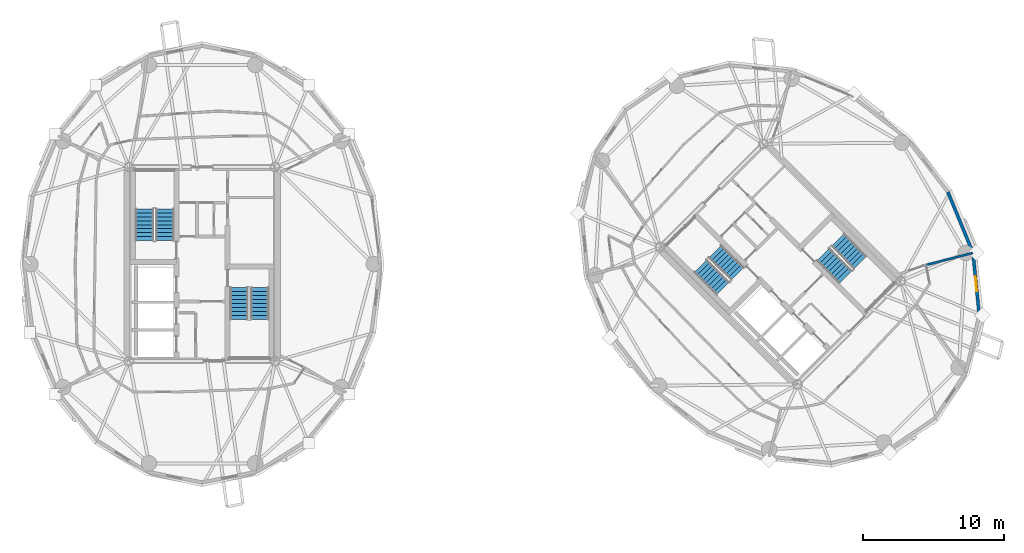
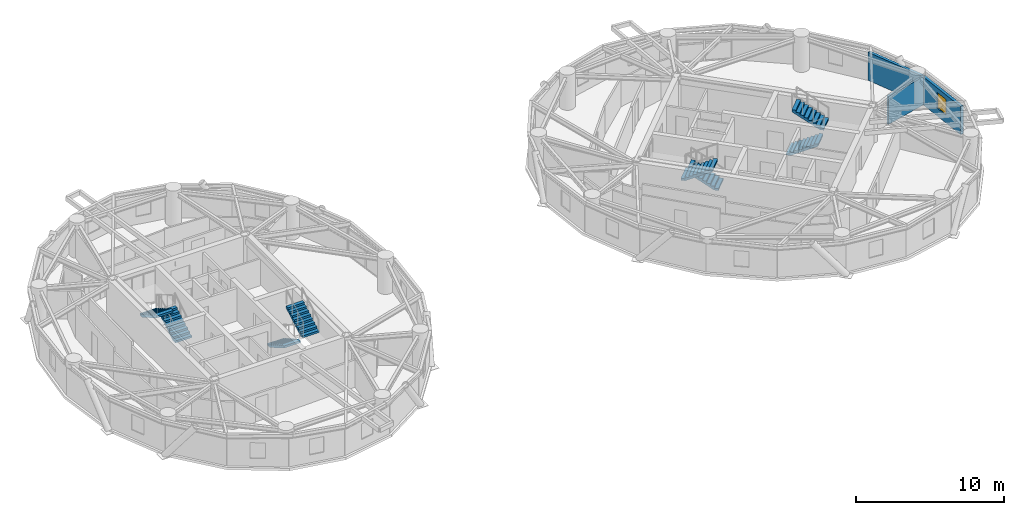
# One storey, part 14 of 16: 8 stair flights, 3 walls, 1 window, 1 opening, 4 elements without a shape of their own.
"""IFC4 building model written with IfcOpenShell, lengths in metres."""

from ifc_helpers import new_model, si_unit, direction, frame, frame_2d, origin, place, context, subcontext, project, spatial, polyline, rectangle, outline, extrude, source, transform, mapped, material, layer, layer_set, type_object, element, fill, aggregate, save


model = new_model("IFC4")

# Units and contexts
model_context = context("Model", 3, precision=1e-05, world=origin(), true_north=direction((0.0, 1.0)))
body_context = subcontext(model_context, "Body", "Model", "MODEL_VIEW")
ifc_project = project(units=[si_unit("LENGTHUNIT", "METRE"), si_unit("AREAUNIT", "SQUARE_METRE"), si_unit("VOLUMEUNIT", "CUBIC_METRE"), si_unit("PLANEANGLEUNIT", "RADIAN"), si_unit("MASSUNIT", "GRAM", prefix="KILO")], contexts=[model_context])

# Site, building, storey
site_placement = place(None, origin())
site = spatial("IfcSite", under=ifc_project, at=site_placement, CompositionType="ELEMENT")
building_placement = place(site_placement, origin())
building = spatial("IfcBuilding", under=site, at=building_placement, Name="Cununo Teusaquillo Station Towers", CompositionType="ELEMENT")
storey_placement = place(building_placement, frame((0.0, 0.0, 219.93994140625)))
storey = spatial("IfcBuildingStorey", under=building, at=storey_placement, Name="L70", CompositionType="ELEMENT", Elevation=219.93994140625)

# Wall, opening, window
ifc_material_1 = material(Name="Precast concrete C40/50", Category="concrete")
ifc_layer_1 = layer(ifc_material_1, 0.219970703125)
ifc_layer_set_1 = layer_set([ifc_layer_1], Name="Precast concrete C40/50")
wall_type_1 = type_object("IfcWallType", Name="WL-EXT-220", PredefinedType="SOLIDWALL", material=ifc_layer_set_1)
wall_1_placement = place(storey_placement, frame((71.15478515625, 25.29541015625, 0.0), z_axis=(0.0, 0.0, 1.0), x_axis=(0.100570534541, -0.994929930991, 0.0)))
wall_1 = element("IfcWall", 1, at=wall_1_placement, inside=storey, type_object=wall_type_1, Name="L70 Tower B Exterior Facade Wall C17", PredefinedType="SOLIDWALL", context=body_context, shape_type="SweptSolid", body=[
    extrude(rectangle(XDim=4.418212890625, YDim=0.219970703125, at=frame_2d((2.208984375, 0.0))), origin(), (0.0, 0.0, 1.0), 2.322021484375),
])
shared_shape_1 = source(origin(), body_context, "Body", "SweptSolid", [
    extrude(rectangle(XDim=1.050048828125, YDim=1.300048828125, at=frame_2d((0.52490234375, 0.64990234375))), frame((0.0, 0.119873046875, 0.0), z_axis=(0.0, -1.0, 0.0), x_axis=(1.0, 0.0, 0.0)), (0.0, 0.0, 1.0), 0.239990234375),
])
opening_placement = place(wall_1_placement, frame((1.68408203125, 0.0, 0.64990234375)))
opening = element("IfcOpeningElement", 2, at=opening_placement, cuts=wall_1, Name="Opening WN-04", PredefinedType="OPENING", context=body_context, shape_type="MappedRepresentation", body=[
    mapped(shared_shape_1, transform((0.0, 0.0, 0.0), x_axis=(1.0, 0.0, 0.0), y_axis=(0.0, 1.0, 0.0), z_axis=(0.0, 0.0, 1.0), scale=1.0)),
])
ifc_material_2 = material(Name="Operable acoustic tinted low-E double glazing", Category="glass")
window_type = type_object("IfcWindowType", Name="WIN-BAL-1050", PartitioningType="SINGLE_PANEL", PredefinedType="WINDOW", material=ifc_material_2)
shared_shape_2 = source(origin(), body_context, "Body", "SweptSolid", [
    extrude(rectangle(XDim=1.050048828125, YDim=1.300048828125, at=frame_2d((0.52490234375, 0.64990234375))), frame((0.0, 0.030029296875, 0.0), z_axis=(0.0, -1.0, 0.0), x_axis=(1.0, 0.0, 0.0)), (0.0, 0.0, 1.0), 0.06005859375),
])
window_placement = place(opening_placement, origin())
window = element("IfcWindow", 3, at=window_placement, inside=storey, type_object=window_type, Name="L70 Tower B Facade Window C17", OverallHeight=1.300048828125, OverallWidth=1.050048828125, PartitioningType="SINGLE_PANEL", PredefinedType="WINDOW", context=body_context, shape_type="MappedRepresentation", body=[
    mapped(shared_shape_2, transform((0.0, 0.0, 0.0), x_axis=(1.0, 0.0, 0.0), y_axis=(0.0, 1.0, 0.0), z_axis=(0.0, 0.0, 1.0), scale=1.0)),
])
fill(opening, window)

# Walls
wall_2_placement = place(storey_placement, frame((69.373779296875, 29.61328125, 0.0), z_axis=(0.0, 0.0, 1.0), x_axis=(0.381309704956, -0.924447353237, 0.0)))
element("IfcWall", 4, at=wall_2_placement, inside=storey, type_object=wall_type_1, Name="L70 Tower B Exterior Facade Wall C18", PredefinedType="SOLIDWALL", context=body_context, shape_type="SweptSolid", body=[
    extrude(rectangle(XDim=4.670654296875, YDim=0.219970703125, at=frame_2d((2.33544921875, 0.0))), origin(), (0.0, 0.0, 1.0), 2.322021484375),
])
ifc_material_3 = material(Name="Fire-rated gypsum plasterboard partition assembly", Category="gypsum")
ifc_layer_2 = layer(ifc_material_3, 0.159912109375)
ifc_layer_set_2 = layer_set([ifc_layer_2], Name="Fire-rated gypsum plasterboard partition assembly")
wall_type_2 = type_object("IfcWallType", Name="WL-PART-160", PredefinedType="PARTITIONING", material=ifc_layer_set_2)
wall_3_placement = place(storey_placement, frame((67.84326171875, 24.443115234375, 0.0), z_axis=(0.0, 0.0, 1.0), x_axis=(0.968303102463, 0.249778105048, 0.0)))
element("IfcWall", 5, at=wall_3_placement, inside=storey, type_object=wall_type_2, Name="L70 Tower B Radial Suite Partition R06", PredefinedType="PARTITIONING", context=body_context, shape_type="SweptSolid", body=[
    extrude(rectangle(XDim=3.3994140625, YDim=0.159912109375, at=frame_2d((1.69970703125, 0.0))), origin(), (0.0, 0.0, 1.0), 2.322021484375),
])

# Stair, stair flights
ifc_material_4 = material(Name="Concrete C50/60", Category="concrete")
stair_type = type_object("IfcStairType", Name="ST-TWR-1300", PredefinedType="HALF_TURN_STAIR", material=ifc_material_4)
stair_1_placement = place(storey_placement, origin())
stair_1 = element("IfcStair", 6, at=stair_1_placement, inside=storey, type_object=stair_type, Name="L70 Tower A Protected Core Exit Stair 1", PredefinedType="HALF_TURN_STAIR")
ifc_material_5 = material(Name="Concrete C50/60", Category="concrete")
stair_flight_type = type_object("IfcStairFlightType", Name="SFL-TWR-1300", PredefinedType="STRAIGHT", material=ifc_material_5)
stair_flight_1_placement = place(storey_placement, frame((13.8701171875, 26.169921875, 0.0), z_axis=(0.0, 0.0, 1.0), x_axis=(0.0, 1.0, 0.0)))
stair_flight_1 = element("IfcStairFlight", 7, at=stair_flight_1_placement, type_object=stair_flight_type, Name="ST-T1-1 flight 1", NumberOfRisers=9, NumberOfTreads=8, PredefinedType="STRAIGHT", RiserHeight=0.161666667, TreadLength=0.28, context=body_context, shape_type="SweptSolid", body=[
    extrude(outline(polyline([(0.0, 0.0), (0.0, 0.16162109375), (0.280029296875, 0.16162109375), (0.280029296875, 0.3232421875), (0.56005859375, 0.3232421875), (0.56005859375, 0.485107421875), (0.840087890625, 0.485107421875), (0.840087890625, 0.646728515625), (1.1201171875, 0.646728515625), (1.1201171875, 0.808349609375), (1.39990234375, 0.808349609375), (1.39990234375, 0.969970703125), (1.679931640625, 0.969970703125), (1.679931640625, 1.131591796875), (1.9599609375, 1.131591796875), (1.9599609375, 1.293212890625), (2.239990234375, 1.293212890625), (2.239990234375, 1.455078125), (2.239990234375, 1.1201171875), (0.2998046875, 0.0), (0.0, 0.0)])), frame((0.0, 0.64990234375, 0.0), z_axis=(0.0, -1.0, 0.0), x_axis=(1.0, 0.0, 0.0)), (0.0, 0.0, 1.0), 1.300048828125),
])
stair_flight_2_placement = place(storey_placement, frame((12.409912109375, 28.409912109375, 1.455078125), z_axis=(0.0, 0.0, 1.0), x_axis=(0.0, -1.0, 0.0)))
stair_flight_2 = element("IfcStairFlight", 8, at=stair_flight_2_placement, type_object=stair_flight_type, Name="ST-T1-1 flight 2", NumberOfRisers=9, NumberOfTreads=8, PredefinedType="STRAIGHT", RiserHeight=0.161666667, TreadLength=0.28, context=body_context, shape_type="SweptSolid", body=[
    extrude(outline(polyline([(0.0, 0.0), (0.0, 0.16162109375), (0.280029296875, 0.16162109375), (0.280029296875, 0.3232421875), (0.56005859375, 0.3232421875), (0.56005859375, 0.485107421875), (0.840087890625, 0.485107421875), (0.840087890625, 0.646728515625), (1.1201171875, 0.646728515625), (1.1201171875, 0.808349609375), (1.39990234375, 0.808349609375), (1.39990234375, 0.969970703125), (1.679931640625, 0.969970703125), (1.679931640625, 1.131591796875), (1.9599609375, 1.131591796875), (1.9599609375, 1.293212890625), (2.239990234375, 1.293212890625), (2.239990234375, 1.455078125), (2.239990234375, 1.1201171875), (0.2998046875, 0.0), (0.0, 0.0)])), frame((0.0, 0.64990234375, 0.0), z_axis=(0.0, -1.0, 0.0), x_axis=(1.0, 0.0, 0.0)), (0.0, 0.0, 1.0), 1.300048828125),
])
aggregate(stair_1, [stair_flight_1, stair_flight_2])

stair_2_placement = place(storey_placement, origin())
stair_2 = element("IfcStair", 9, at=stair_2_placement, inside=storey, type_object=stair_type, Name="L70 Tower A Protected Core Exit Stair 2", PredefinedType="HALF_TURN_STAIR")
stair_flight_3_placement = place(storey_placement, frame((19.1298828125, 22.830078125, 0.0), z_axis=(0.0, 0.0, 1.0), x_axis=(0.0, -1.0, 0.0)))
stair_flight_3 = element("IfcStairFlight", 10, at=stair_flight_3_placement, type_object=stair_flight_type, Name="ST-T1-2 flight 1", NumberOfRisers=9, NumberOfTreads=8, PredefinedType="STRAIGHT", RiserHeight=0.161666667, TreadLength=0.28, context=body_context, shape_type="SweptSolid", body=[
    extrude(outline(polyline([(0.0, 0.0), (0.0, 0.16162109375), (0.280029296875, 0.16162109375), (0.280029296875, 0.3232421875), (0.56005859375, 0.3232421875), (0.56005859375, 0.485107421875), (0.840087890625, 0.485107421875), (0.840087890625, 0.646728515625), (1.1201171875, 0.646728515625), (1.1201171875, 0.808349609375), (1.39990234375, 0.808349609375), (1.39990234375, 0.969970703125), (1.679931640625, 0.969970703125), (1.679931640625, 1.131591796875), (1.9599609375, 1.131591796875), (1.9599609375, 1.293212890625), (2.239990234375, 1.293212890625), (2.239990234375, 1.455078125), (2.239990234375, 1.1201171875), (0.2998046875, 0.0), (0.0, 0.0)])), frame((0.0, 0.64990234375, 0.0), z_axis=(0.0, -1.0, 0.0), x_axis=(1.0, 0.0, 0.0)), (0.0, 0.0, 1.0), 1.300048828125),
])
stair_flight_4_placement = place(storey_placement, frame((20.590087890625, 20.590087890625, 1.455078125), z_axis=(0.0, 0.0, 1.0), x_axis=(0.0, 1.0, 0.0)))
stair_flight_4 = element("IfcStairFlight", 11, at=stair_flight_4_placement, type_object=stair_flight_type, Name="ST-T1-2 flight 2", NumberOfRisers=9, NumberOfTreads=8, PredefinedType="STRAIGHT", RiserHeight=0.161666667, TreadLength=0.28, context=body_context, shape_type="SweptSolid", body=[
    extrude(outline(polyline([(0.0, 0.0), (0.0, 0.16162109375), (0.280029296875, 0.16162109375), (0.280029296875, 0.3232421875), (0.56005859375, 0.3232421875), (0.56005859375, 0.485107421875), (0.840087890625, 0.485107421875), (0.840087890625, 0.646728515625), (1.1201171875, 0.646728515625), (1.1201171875, 0.808349609375), (1.39990234375, 0.808349609375), (1.39990234375, 0.969970703125), (1.679931640625, 0.969970703125), (1.679931640625, 1.131591796875), (1.9599609375, 1.131591796875), (1.9599609375, 1.293212890625), (2.239990234375, 1.293212890625), (2.239990234375, 1.455078125), (2.239990234375, 1.1201171875), (0.2998046875, 0.0), (0.0, 0.0)])), frame((0.0, 0.64990234375, 0.0), z_axis=(0.0, -1.0, 0.0), x_axis=(1.0, 0.0, 0.0)), (0.0, 0.0, 1.0), 1.300048828125),
])
aggregate(stair_2, [stair_flight_3, stair_flight_4])

stair_3_placement = place(storey_placement, origin())
stair_3 = element("IfcStair", 12, at=stair_3_placement, inside=storey, type_object=stair_type, Name="L70 Tower B Protected Core Exit Stair 1", PredefinedType="HALF_TURN_STAIR")
stair_flight_5_placement = place(storey_placement, frame((54.45947265625, 23.8212890625, 0.0), z_axis=(0.0, 0.0, 1.0), x_axis=(-0.707106781187, 0.707106781187, 0.0)))
stair_flight_5 = element("IfcStairFlight", 13, at=stair_flight_5_placement, type_object=stair_flight_type, Name="ST-T2-1 flight 1", NumberOfRisers=9, NumberOfTreads=8, PredefinedType="STRAIGHT", RiserHeight=0.161666667, TreadLength=0.28, context=body_context, shape_type="SweptSolid", body=[
    extrude(outline(polyline([(0.0, 0.0), (0.0, 0.16162109375), (0.280029296875, 0.16162109375), (0.280029296875, 0.3232421875), (0.56005859375, 0.3232421875), (0.56005859375, 0.485107421875), (0.840087890625, 0.485107421875), (0.840087890625, 0.646728515625), (1.1201171875, 0.646728515625), (1.1201171875, 0.808349609375), (1.39990234375, 0.808349609375), (1.39990234375, 0.969970703125), (1.679931640625, 0.969970703125), (1.679931640625, 1.131591796875), (1.9599609375, 1.131591796875), (1.9599609375, 1.293212890625), (2.239990234375, 1.293212890625), (2.239990234375, 1.455078125), (2.239990234375, 1.1201171875), (0.2998046875, 0.0), (0.0, 0.0)])), frame((0.0, 0.64990234375, 0.0), z_axis=(0.0, -1.0, 0.0), x_axis=(1.0, 0.0, 0.0)), (0.0, 0.0, 1.0), 1.300048828125),
])
stair_flight_6_placement = place(storey_placement, frame((51.84326171875, 24.372802734375, 1.455078125), z_axis=(0.0, 0.0, 1.0), x_axis=(0.707106781187, -0.707106781187, 0.0)))
stair_flight_6 = element("IfcStairFlight", 14, at=stair_flight_6_placement, type_object=stair_flight_type, Name="ST-T2-1 flight 2", NumberOfRisers=9, NumberOfTreads=8, PredefinedType="STRAIGHT", RiserHeight=0.161666667, TreadLength=0.28, context=body_context, shape_type="SweptSolid", body=[
    extrude(outline(polyline([(0.0, 0.0), (0.0, 0.16162109375), (0.280029296875, 0.16162109375), (0.280029296875, 0.3232421875), (0.56005859375, 0.3232421875), (0.56005859375, 0.485107421875), (0.840087890625, 0.485107421875), (0.840087890625, 0.646728515625), (1.1201171875, 0.646728515625), (1.1201171875, 0.808349609375), (1.39990234375, 0.808349609375), (1.39990234375, 0.969970703125), (1.679931640625, 0.969970703125), (1.679931640625, 1.131591796875), (1.9599609375, 1.131591796875), (1.9599609375, 1.293212890625), (2.239990234375, 1.293212890625), (2.239990234375, 1.455078125), (2.239990234375, 1.1201171875), (0.2998046875, 0.0), (0.0, 0.0)])), frame((0.0, 0.64990234375, 0.0), z_axis=(0.0, -1.0, 0.0), x_axis=(1.0, 0.0, 0.0)), (0.0, 0.0, 1.0), 1.300048828125),
])
aggregate(stair_3, [stair_flight_5, stair_flight_6])

stair_4_placement = place(storey_placement, origin())
stair_4 = element("IfcStair", 15, at=stair_4_placement, inside=storey, type_object=stair_type, Name="L70 Tower B Protected Core Exit Stair 2", PredefinedType="HALF_TURN_STAIR")
stair_flight_7_placement = place(storey_placement, frame((60.54052734375, 25.1787109375, 0.0), z_axis=(0.0, 0.0, 1.0), x_axis=(0.707106781187, -0.707106781187, 0.0)))
stair_flight_7 = element("IfcStairFlight", 16, at=stair_flight_7_placement, type_object=stair_flight_type, Name="ST-T2-2 flight 1", NumberOfRisers=9, NumberOfTreads=8, PredefinedType="STRAIGHT", RiserHeight=0.161666667, TreadLength=0.28, context=body_context, shape_type="SweptSolid", body=[
    extrude(outline(polyline([(0.0, 0.0), (0.0, 0.16162109375), (0.280029296875, 0.16162109375), (0.280029296875, 0.3232421875), (0.56005859375, 0.3232421875), (0.56005859375, 0.485107421875), (0.840087890625, 0.485107421875), (0.840087890625, 0.646728515625), (1.1201171875, 0.646728515625), (1.1201171875, 0.808349609375), (1.39990234375, 0.808349609375), (1.39990234375, 0.969970703125), (1.679931640625, 0.969970703125), (1.679931640625, 1.131591796875), (1.9599609375, 1.131591796875), (1.9599609375, 1.293212890625), (2.239990234375, 1.293212890625), (2.239990234375, 1.455078125), (2.239990234375, 1.1201171875), (0.2998046875, 0.0), (0.0, 0.0)])), frame((0.0, 0.64990234375, 0.0), z_axis=(0.0, -1.0, 0.0), x_axis=(1.0, 0.0, 0.0)), (0.0, 0.0, 1.0), 1.300048828125),
])
stair_flight_8_placement = place(storey_placement, frame((63.15673828125, 24.627197265625, 1.455078125), z_axis=(0.0, 0.0, 1.0), x_axis=(-0.707106781187, 0.707106781187, 0.0)))
stair_flight_8 = element("IfcStairFlight", 17, at=stair_flight_8_placement, type_object=stair_flight_type, Name="ST-T2-2 flight 2", NumberOfRisers=9, NumberOfTreads=8, PredefinedType="STRAIGHT", RiserHeight=0.161666667, TreadLength=0.28, context=body_context, shape_type="SweptSolid", body=[
    extrude(outline(polyline([(0.0, 0.0), (0.0, 0.16162109375), (0.280029296875, 0.16162109375), (0.280029296875, 0.3232421875), (0.56005859375, 0.3232421875), (0.56005859375, 0.485107421875), (0.840087890625, 0.485107421875), (0.840087890625, 0.646728515625), (1.1201171875, 0.646728515625), (1.1201171875, 0.808349609375), (1.39990234375, 0.808349609375), (1.39990234375, 0.969970703125), (1.679931640625, 0.969970703125), (1.679931640625, 1.131591796875), (1.9599609375, 1.131591796875), (1.9599609375, 1.293212890625), (2.239990234375, 1.293212890625), (2.239990234375, 1.455078125), (2.239990234375, 1.1201171875), (0.2998046875, 0.0), (0.0, 0.0)])), frame((0.0, 0.64990234375, 0.0), z_axis=(0.0, -1.0, 0.0), x_axis=(1.0, 0.0, 0.0)), (0.0, 0.0, 1.0), 1.300048828125),
])
aggregate(stair_4, [stair_flight_7, stair_flight_8])

save(model, "model.ifc")
